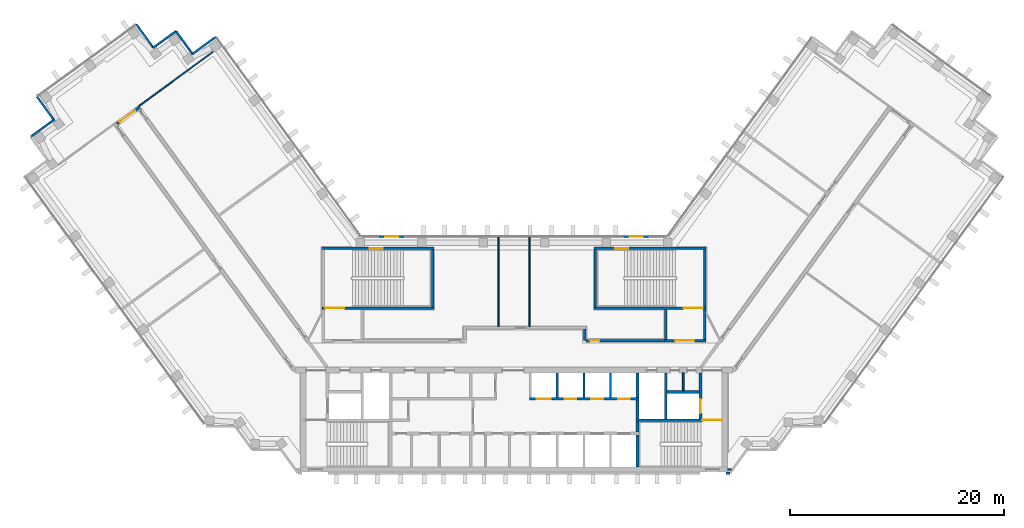
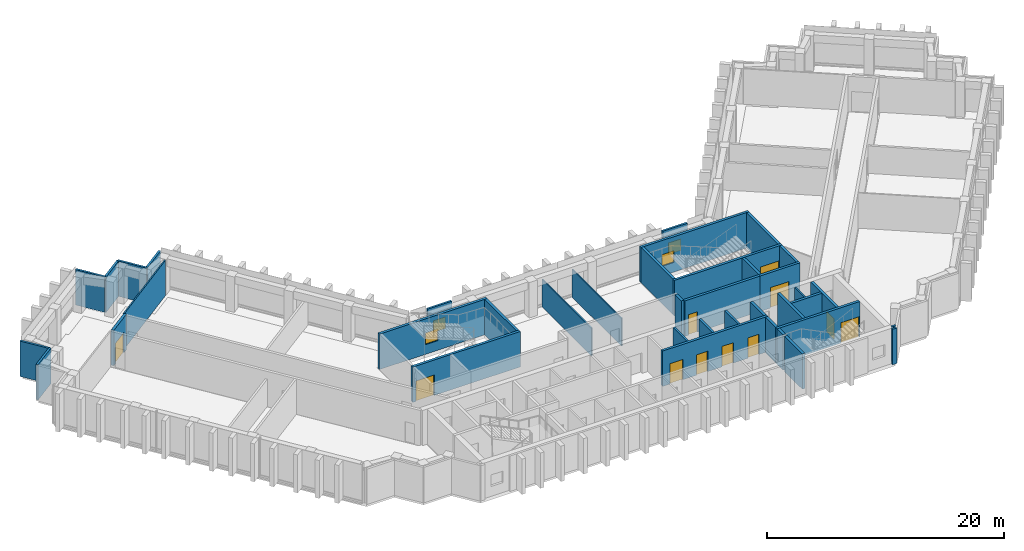
# One storey, part 7 of 11: 39 walls, 11 doors, 4 windows, 15 openings.
"""IFC4 building model written with IfcOpenShell, lengths in metres."""

from ifc_helpers import new_model, si_unit, direction, frame, frame_2d, origin, place, context, subcontext, project, spatial, rectangle, extrude, material, layer, layer_set, type_object, element, fill, save


model = new_model("IFC4")

# Units and contexts
model_context = context("Model", 3, precision=1e-05, world=origin(), true_north=direction((0.0, 1.0)))
body_context = subcontext(model_context, "Body", "Model", "MODEL_VIEW")
ifc_project = project(units=[si_unit("LENGTHUNIT", "METRE"), si_unit("AREAUNIT", "SQUARE_METRE"), si_unit("VOLUMEUNIT", "CUBIC_METRE"), si_unit("PLANEANGLEUNIT", "RADIAN"), si_unit("MASSUNIT", "GRAM", prefix="KILO")], contexts=[model_context])

# Site, building, storey
site_placement = place(None, origin())
site = spatial("IfcSite", under=ifc_project, at=site_placement, CompositionType="ELEMENT")
building_placement = place(site_placement, origin())
building = spatial("IfcBuilding", under=site, at=building_placement, Name="Quipu Civic Tower", CompositionType="ELEMENT")
storey_placement = place(building_placement, frame((0.0, 0.0, 144.0)))
storey = spatial("IfcBuildingStorey", under=building, at=storey_placement, Name="L33", CompositionType="ELEMENT", Elevation=144.0)

# Walls
ifc_material_1 = material(Name="Concrete C70/85", Category="concrete")
ifc_layer_1 = layer(ifc_material_1, 0.25)
ifc_layer_set_1 = layer_set([ifc_layer_1], Name="Concrete C70/85")
wall_type_1 = type_object("IfcWallType", Name="Core wall 250", PredefinedType="SHEAR", material=ifc_layer_set_1)
wall_1_placement = place(storey_placement, frame((11.574951171875, -10.5, 0.0), z_axis=(0.0, 0.0, 1.0), x_axis=(0.0, 1.0, 0.0)))
element("IfcWall", 1, at=wall_1_placement, inside=storey, type_object=wall_type_1, Name="Core wall", PredefinedType="SHEAR", context=body_context, shape_type="SweptSolid", body=[
    extrude(rectangle(XDim=3.0, YDim=0.25, at=frame_2d((1.5, 0.0))), origin(), (0.0, 0.0, 1.0), 3.64990234375),
])
wall_2_placement = place(storey_placement, frame((11.574951171875, -7.25, 0.0), z_axis=(0.0, 0.0, 1.0), x_axis=(0.0, 1.0, 0.0)))
element("IfcWall", 2, at=wall_2_placement, inside=storey, type_object=wall_type_1, Name="Core wall", PredefinedType="SHEAR", context=body_context, shape_type="SweptSolid", body=[
    extrude(rectangle(XDim=1.0, YDim=0.25, at=frame_2d((0.5, 0.0))), origin(), (0.0, 0.0, 1.0), 3.64990234375),
])

# Wall, opening, door
wall_3_placement = place(storey_placement, frame((19.5, -6.125, 0.0), z_axis=(0.0, 0.0, 1.0), x_axis=(-1.0, 0.0, 0.0)))
wall_3 = element("IfcWall", 3, at=wall_3_placement, inside=storey, type_object=wall_type_1, Name="Core wall", PredefinedType="SHEAR", context=body_context, shape_type="SweptSolid", body=[
    extrude(rectangle(XDim=8.050048828125, YDim=0.25, at=frame_2d((4.02490234375, 0.0))), origin(), (0.0, 0.0, 1.0), 3.64990234375),
])
opening_1_placement = place(wall_3_placement, frame((0.050048828125, 0.0, 0.0)))
opening_1 = element("IfcOpeningElement", 4, at=opening_1_placement, cuts=wall_3, Name="Opening CD-08", PredefinedType="OPENING", context=body_context, shape_type="SweptSolid", body=[
    extrude(rectangle(XDim=1.800048828125, YDim=2.10009765625, at=frame_2d((0.89990234375, 1.050048828125))), frame((0.0, 0.135009765625, 0.0), z_axis=(0.0, -1.0, 0.0), x_axis=(1.0, 0.0, 0.0)), (0.0, 0.0, 1.0), 0.27001953125),
])
ifc_material_2 = material(Name="Fire rated steel door", Category="steel")
door_type_1 = type_object("IfcDoorType", Name="Fire door FD90 double 1800 x 2100", OperationType="NOTDEFINED", PredefinedType="DOOR", material=ifc_material_2)
door_1_placement = place(opening_1_placement, origin())
door_1 = element("IfcDoor", 5, at=door_1_placement, inside=storey, type_object=door_type_1, Name="Door", OperationType="DOUBLE_DOOR_SINGLE_SWING", OverallHeight=2.10009765625, OverallWidth=1.800048828125, PredefinedType="DOOR", context=body_context, shape_type="SweptSolid", body=[
    extrude(rectangle(XDim=1.800048828125, YDim=2.10009765625, at=frame_2d((0.89990234375, 1.050048828125))), frame((0.0, 0.02490234375, 0.0), z_axis=(0.0, -1.0, 0.0), x_axis=(1.0, 0.0, 0.0)), (0.0, 0.0, 1.0), 0.050048828125),
])
fill(opening_1, door_1)

# Walls
wall_4_placement = place(storey_placement, frame((11.574951171875, -6.0, 0.0), z_axis=(0.0, 0.0, 1.0), x_axis=(0.0, 1.0, 0.0)))
element("IfcWall", 6, at=wall_4_placement, inside=storey, type_object=wall_type_1, Name="Core wall", PredefinedType="SHEAR", context=body_context, shape_type="SweptSolid", body=[
    extrude(rectangle(XDim=1.75, YDim=0.25, at=frame_2d((0.875, 0.0))), origin(), (0.0, 0.0, 1.0), 3.64990234375),
])
wall_5_placement = place(storey_placement, frame((14.22509765625, -6.0, 0.0), z_axis=(0.0, 0.0, 1.0), x_axis=(0.0, 1.0, 0.0)))
element("IfcWall", 7, at=wall_5_placement, inside=storey, type_object=wall_type_1, Name="Core wall", PredefinedType="SHEAR", context=body_context, shape_type="SweptSolid", body=[
    extrude(rectangle(XDim=4.300048828125, YDim=0.25, at=frame_2d((2.14990234375, 0.0))), origin(), (0.0, 0.0, 1.0), 3.64990234375),
])

# Wall, opening, door
wall_6_placement = place(storey_placement, frame((17.47509765625, -6.0, 0.0), z_axis=(0.0, 0.0, 1.0), x_axis=(0.0, 1.0, 0.0)))
wall_6 = element("IfcWall", 8, at=wall_6_placement, inside=storey, type_object=wall_type_1, Name="Core wall", PredefinedType="SHEAR", context=body_context, shape_type="SweptSolid", body=[
    extrude(rectangle(XDim=4.300048828125, YDim=0.25, at=frame_2d((2.14990234375, 0.0))), origin(), (0.0, 0.0, 1.0), 3.64990234375),
])
opening_2_placement = place(wall_6_placement, frame((0.550048828125, 0.0, 0.0)))
opening_2 = element("IfcOpeningElement", 9, at=opening_2_placement, cuts=wall_6, Name="Opening LD-FF2", PredefinedType="OPENING", context=body_context, shape_type="SweptSolid", body=[
    extrude(rectangle(XDim=1.300048828125, YDim=2.10009765625, at=frame_2d((0.64990234375, 1.050048828125))), frame((0.0, 0.135009765625, 0.0), z_axis=(0.0, -1.0, 0.0), x_axis=(1.0, 0.0, 0.0)), (0.0, 0.0, 1.0), 0.27001953125),
])
ifc_material_3 = material(Name="Stainless steel", Category="steel")
door_type_2 = type_object("IfcDoorType", Name="Lift landing door 1300 x 2100", OperationType="DOUBLE_DOOR_SLIDING", PredefinedType="DOOR", material=ifc_material_3)
door_2_placement = place(opening_2_placement, origin())
door_2 = element("IfcDoor", 10, at=door_2_placement, inside=storey, type_object=door_type_2, Name="Landing door FF2", OperationType="DOUBLE_DOOR_SLIDING", OverallHeight=2.10009765625, OverallWidth=1.300048828125, PredefinedType="DOOR", context=body_context, shape_type="SweptSolid", body=[
    extrude(rectangle(XDim=1.300048828125, YDim=2.10009765625, at=frame_2d((0.64990234375, 1.050048828125))), frame((0.0, 0.02490234375, 0.0), z_axis=(0.0, -1.0, 0.0), x_axis=(1.0, 0.0, 0.0)), (0.0, 0.0, 1.0), 0.050048828125),
])
fill(opening_2, door_2)

# Wall, openings, doors
wall_7_placement = place(storey_placement, frame((1.449951171875, -4.125, 0.0), z_axis=(0.0, 0.0, 1.0), x_axis=(1.0, 0.0, 0.0)))
wall_7 = element("IfcWall", 11, at=wall_7_placement, inside=storey, type_object=wall_type_1, Name="Core wall", PredefinedType="SHEAR", context=body_context, shape_type="SweptSolid", body=[
    extrude(rectangle(XDim=10.25, YDim=0.25, at=frame_2d((5.125, 0.0))), origin(), (0.0, 0.0, 1.0), 3.64990234375),
])
opening_3_placement = place(wall_7_placement, frame((0.699951171875, 0.0, 0.0)))
opening_3 = element("IfcOpeningElement", 12, at=opening_3_placement, cuts=wall_7, Name="Opening LD-FF3", PredefinedType="OPENING", context=body_context, shape_type="SweptSolid", body=[
    extrude(rectangle(XDim=1.300048828125, YDim=2.10009765625, at=frame_2d((0.64990234375, 1.050048828125))), frame((0.0, 0.135009765625, 0.0), z_axis=(0.0, -1.0, 0.0), x_axis=(1.0, 0.0, 0.0)), (0.0, 0.0, 1.0), 0.27001953125),
])
opening_4_placement = place(wall_7_placement, frame((3.300048828125, 0.0, 0.0)))
opening_4 = element("IfcOpeningElement", 13, at=opening_4_placement, cuts=wall_7, Name="Opening LD-ML5", PredefinedType="OPENING", context=body_context, shape_type="SweptSolid", body=[
    extrude(rectangle(XDim=1.10009765625, YDim=2.10009765625, at=frame_2d((0.550048828125, 1.050048828125))), frame((0.0, 0.135009765625, 0.0), z_axis=(0.0, -1.0, 0.0), x_axis=(1.0, 0.0, 0.0)), (0.0, 0.0, 1.0), 0.27001953125),
])
opening_5_placement = place(wall_7_placement, frame((5.800048828125, 0.0, 0.0)))
opening_5 = element("IfcOpeningElement", 14, at=opening_5_placement, cuts=wall_7, Name="Opening LD-ML6", PredefinedType="OPENING", context=body_context, shape_type="SweptSolid", body=[
    extrude(rectangle(XDim=1.10009765625, YDim=2.10009765625, at=frame_2d((0.550048828125, 1.050048828125))), frame((0.0, 0.135009765625, 0.0), z_axis=(0.0, -1.0, 0.0), x_axis=(1.0, 0.0, 0.0)), (0.0, 0.0, 1.0), 0.27001953125),
])
opening_6_placement = place(wall_7_placement, frame((8.300048828125, 0.0, 0.0)))
opening_6 = element("IfcOpeningElement", 15, at=opening_6_placement, cuts=wall_7, Name="Opening LD-ML7", PredefinedType="OPENING", context=body_context, shape_type="SweptSolid", body=[
    extrude(rectangle(XDim=1.10009765625, YDim=2.10009765625, at=frame_2d((0.550048828125, 1.050048828125))), frame((0.0, 0.135009765625, 0.0), z_axis=(0.0, -1.0, 0.0), x_axis=(1.0, 0.0, 0.0)), (0.0, 0.0, 1.0), 0.27001953125),
])
ifc_material_4 = material(Name="Stainless steel", Category="steel")
door_type_3 = type_object("IfcDoorType", Name="Lift landing door 1100 x 2100", OperationType="DOUBLE_DOOR_SLIDING", PredefinedType="DOOR", material=ifc_material_4)
door_3_placement = place(opening_4_placement, origin())
door_3 = element("IfcDoor", 16, at=door_3_placement, inside=storey, type_object=door_type_3, Name="Landing door ML5", OperationType="DOUBLE_DOOR_SLIDING", OverallHeight=2.10009765625, OverallWidth=1.10009765625, PredefinedType="DOOR", context=body_context, shape_type="SweptSolid", body=[
    extrude(rectangle(XDim=1.10009765625, YDim=2.10009765625, at=frame_2d((0.550048828125, 1.050048828125))), frame((0.0, 0.02490234375, 0.0), z_axis=(0.0, -1.0, 0.0), x_axis=(1.0, 0.0, 0.0)), (0.0, 0.0, 1.0), 0.050048828125),
])
fill(opening_4, door_3)
door_4_placement = place(opening_5_placement, origin())
door_4 = element("IfcDoor", 17, at=door_4_placement, inside=storey, type_object=door_type_3, Name="Landing door ML6", OperationType="DOUBLE_DOOR_SLIDING", OverallHeight=2.10009765625, OverallWidth=1.10009765625, PredefinedType="DOOR", context=body_context, shape_type="SweptSolid", body=[
    extrude(rectangle(XDim=1.10009765625, YDim=2.10009765625, at=frame_2d((0.550048828125, 1.050048828125))), frame((0.0, 0.02490234375, 0.0), z_axis=(0.0, -1.0, 0.0), x_axis=(1.0, 0.0, 0.0)), (0.0, 0.0, 1.0), 0.050048828125),
])
fill(opening_5, door_4)
door_5_placement = place(opening_6_placement, origin())
door_5 = element("IfcDoor", 18, at=door_5_placement, inside=storey, type_object=door_type_3, Name="Landing door ML7", OperationType="DOUBLE_DOOR_SLIDING", OverallHeight=2.10009765625, OverallWidth=1.10009765625, PredefinedType="DOOR", context=body_context, shape_type="SweptSolid", body=[
    extrude(rectangle(XDim=1.10009765625, YDim=2.10009765625, at=frame_2d((0.550048828125, 1.050048828125))), frame((0.0, 0.02490234375, 0.0), z_axis=(0.0, -1.0, 0.0), x_axis=(1.0, 0.0, 0.0)), (0.0, 0.0, 1.0), 0.050048828125),
])
fill(opening_6, door_5)
door_6_placement = place(opening_3_placement, origin())
door_6 = element("IfcDoor", 19, at=door_6_placement, inside=storey, type_object=door_type_2, Name="Landing door FF3", OperationType="DOUBLE_DOOR_SLIDING", OverallHeight=2.10009765625, OverallWidth=1.300048828125, PredefinedType="DOOR", context=body_context, shape_type="SweptSolid", body=[
    extrude(rectangle(XDim=1.300048828125, YDim=2.10009765625, at=frame_2d((0.64990234375, 1.050048828125))), frame((0.0, 0.02490234375, 0.0), z_axis=(0.0, -1.0, 0.0), x_axis=(1.0, 0.0, 0.0)), (0.0, 0.0, 1.0), 0.050048828125),
])
fill(opening_3, door_6)

# Walls
wall_8_placement = place(storey_placement, frame((11.574951171875, -4.0, 0.0), z_axis=(0.0, 0.0, 1.0), x_axis=(0.0, 1.0, 0.0)))
element("IfcWall", 20, at=wall_8_placement, inside=storey, type_object=wall_type_1, Name="Core wall", PredefinedType="SHEAR", context=body_context, shape_type="SweptSolid", body=[
    extrude(rectangle(XDim=2.300048828125, YDim=0.25, at=frame_2d((1.14990234375, 0.0))), origin(), (0.0, 0.0, 1.0), 3.64990234375),
])
wall_9_placement = place(storey_placement, frame((14.35009765625, -3.47509765625, 0.0), z_axis=(0.0, 0.0, 1.0), x_axis=(1.0, 0.0, 0.0)))
element("IfcWall", 21, at=wall_9_placement, inside=storey, type_object=wall_type_1, Name="Core wall", PredefinedType="SHEAR", context=body_context, shape_type="SweptSolid", body=[
    extrude(rectangle(XDim=3.0, YDim=0.25, at=frame_2d((1.5, 0.0))), origin(), (0.0, 0.0, 1.0), 3.64990234375),
])

# Wall, opening, door
wall_10_placement = place(storey_placement, frame((-18.0, 4.375, 0.0), z_axis=(0.0, 0.0, 1.0), x_axis=(1.0, 0.0, 0.0)))
wall_10 = element("IfcWall", 22, at=wall_10_placement, inside=storey, type_object=wall_type_1, Name="Core wall", PredefinedType="SHEAR", context=body_context, shape_type="SweptSolid", body=[
    extrude(rectangle(XDim=10.5, YDim=0.25, at=frame_2d((5.25, 0.0))), origin(), (0.0, 0.0, 1.0), 3.64990234375),
])
opening_7_placement = place(wall_10_placement, frame((0.300048828125, 0.0, 0.0)))
opening_7 = element("IfcOpeningElement", 23, at=opening_7_placement, cuts=wall_10, Name="Opening CD-23", PredefinedType="OPENING", context=body_context, shape_type="SweptSolid", body=[
    extrude(rectangle(XDim=1.800048828125, YDim=2.10009765625, at=frame_2d((0.89990234375, 1.050048828125))), frame((0.0, 0.135009765625, 0.0), z_axis=(0.0, -1.0, 0.0), x_axis=(1.0, 0.0, 0.0)), (0.0, 0.0, 1.0), 0.27001953125),
])
door_7_placement = place(opening_7_placement, origin())
door_7 = element("IfcDoor", 24, at=door_7_placement, inside=storey, type_object=door_type_1, Name="Door", OperationType="DOUBLE_DOOR_SINGLE_SWING", OverallHeight=2.10009765625, OverallWidth=1.800048828125, PredefinedType="DOOR", context=body_context, shape_type="SweptSolid", body=[
    extrude(rectangle(XDim=1.800048828125, YDim=2.10009765625, at=frame_2d((0.89990234375, 1.050048828125))), frame((0.0, 0.02490234375, 0.0), z_axis=(0.0, -1.0, 0.0), x_axis=(1.0, 0.0, 0.0)), (0.0, 0.0, 1.0), 0.050048828125),
])
fill(opening_7, door_7)

# Wall
wall_11_placement = place(storey_placement, frame((-7.625, 4.5, 0.0), z_axis=(0.0, 0.0, 1.0), x_axis=(0.0, 1.0, 0.0)))
element("IfcWall", 25, at=wall_11_placement, inside=storey, type_object=wall_type_1, Name="Core wall", PredefinedType="SHEAR", context=body_context, shape_type="SweptSolid", body=[
    extrude(rectangle(XDim=5.35009765625, YDim=0.25, at=frame_2d((2.675048828125, 0.0))), origin(), (0.0, 0.0, 1.0), 3.64990234375),
])

# Wall, opening, window
wall_12_placement = place(storey_placement, frame((-18.0, 9.97509765625, 0.0), z_axis=(0.0, 0.0, 1.0), x_axis=(1.0, 0.0, 0.0)))
wall_12 = element("IfcWall", 26, at=wall_12_placement, inside=storey, type_object=wall_type_1, Name="Core wall", PredefinedType="SHEAR", context=body_context, shape_type="SweptSolid", body=[
    extrude(rectangle(XDim=10.5, YDim=0.25, at=frame_2d((5.25, 0.0))), origin(), (0.0, 0.0, 1.0), 3.64990234375),
])
opening_8_placement = place(wall_12_placement, frame((4.5, 0.0, 1.0)))
opening_8 = element("IfcOpeningElement", 27, at=opening_8_placement, cuts=wall_12, Name="Opening SV-3", PredefinedType="OPENING", context=body_context, shape_type="SweptSolid", body=[
    extrude(rectangle(XDim=1.199951171875, YDim=1.199951171875, at=frame_2d((0.60009765625, 0.60009765625))), frame((0.0, 0.135009765625, 0.0), z_axis=(0.0, -1.0, 0.0), x_axis=(1.0, 0.0, 0.0)), (0.0, 0.0, 1.0), 0.27001953125),
])
ifc_material_5 = material(Name="Aluminium louvre", Category="aluminium")
window_type_1 = type_object("IfcWindowType", Name="Stair ventilation louvre 1200 x 1200", PartitioningType="SINGLE_PANEL", PredefinedType="WINDOW", material=ifc_material_5)
window_1_placement = place(opening_8_placement, origin())
window_1 = element("IfcWindow", 28, at=window_1_placement, inside=storey, type_object=window_type_1, Name="Stair ventilation opening", OverallHeight=1.199951171875, OverallWidth=1.199951171875, PartitioningType="SINGLE_PANEL", PredefinedType="WINDOW", context=body_context, shape_type="SweptSolid", body=[
    extrude(rectangle(XDim=1.199951171875, YDim=1.199951171875, at=frame_2d((0.60009765625, 0.60009765625))), frame((0.0, 0.030029296875, 0.0), z_axis=(0.0, -1.0, 0.0), x_axis=(1.0, 0.0, 0.0)), (0.0, 0.0, 1.0), 0.06005859375),
])
fill(opening_8, window_1)

# Wall, opening, door
wall_13_placement = place(storey_placement, frame((14.10009765625, 1.324951171875, 0.0), z_axis=(0.0, 0.0, 1.0), x_axis=(1.0, 0.0, 0.0)))
wall_13 = element("IfcWall", 29, at=wall_13_placement, inside=storey, type_object=wall_type_1, Name="Core wall", PredefinedType="SHEAR", context=body_context, shape_type="SweptSolid", body=[
    extrude(rectangle(XDim=3.89990234375, YDim=0.25, at=frame_2d((1.949951171875, 0.0))), origin(), (0.0, 0.0, 1.0), 3.64990234375),
])
opening_9_placement = place(wall_13_placement, frame((1.0, 0.0, 0.0)))
opening_9 = element("IfcOpeningElement", 30, at=opening_9_placement, cuts=wall_13, Name="Opening CD-24", PredefinedType="OPENING", context=body_context, shape_type="SweptSolid", body=[
    extrude(rectangle(XDim=1.800048828125, YDim=2.10009765625, at=frame_2d((0.89990234375, 1.050048828125))), frame((0.0, 0.135009765625, 0.0), z_axis=(0.0, -1.0, 0.0), x_axis=(1.0, 0.0, 0.0)), (0.0, 0.0, 1.0), 0.27001953125),
])
door_8_placement = place(opening_9_placement, origin())
door_8 = element("IfcDoor", 31, at=door_8_placement, inside=storey, type_object=door_type_1, Name="Lobby door", OperationType="DOUBLE_DOOR_SINGLE_SWING", OverallHeight=2.10009765625, OverallWidth=1.800048828125, PredefinedType="DOOR", context=body_context, shape_type="SweptSolid", body=[
    extrude(rectangle(XDim=1.800048828125, YDim=2.10009765625, at=frame_2d((0.89990234375, 1.050048828125))), frame((0.0, 0.02490234375, 0.0), z_axis=(0.0, -1.0, 0.0), x_axis=(1.0, 0.0, 0.0)), (0.0, 0.0, 1.0), 0.050048828125),
])
fill(opening_9, door_8)

# Walls
for number, where, z_axis, x_axis, name in (
    (32, (14.22509765625, 1.449951171875, 0.0), (0.0, 0.0, 1.0), (0.0, 1.0, 0.0), "Core wall"),
    (33, (17.875, 1.449951171875, 0.0), (0.0, 0.0, 1.0), (0.0, 1.0, 0.0), "Core wall"),
):
    element("IfcWall", number, at=place(storey_placement, frame(where, z_axis=z_axis, x_axis=x_axis)), inside=storey, type_object=wall_type_1, Name=name, PredefinedType="SHEAR", context=body_context, shape_type="SweptSolid", body=[
        extrude(rectangle(XDim=2.800048828125, YDim=0.25, at=frame_2d((1.39990234375, 0.0))), origin(), (0.0, 0.0, 1.0), 3.64990234375),
    ])

# Wall, opening, door
wall_14_placement = place(storey_placement, frame((7.5, 4.375, 0.0), z_axis=(0.0, 0.0, 1.0), x_axis=(1.0, 0.0, 0.0)))
wall_14 = element("IfcWall", 34, at=wall_14_placement, inside=storey, type_object=wall_type_1, Name="Core wall", PredefinedType="SHEAR", context=body_context, shape_type="SweptSolid", body=[
    extrude(rectangle(XDim=10.5, YDim=0.25, at=frame_2d((5.25, 0.0))), origin(), (0.0, 0.0, 1.0), 3.64990234375),
])
opening_10_placement = place(wall_14_placement, frame((8.39990234375, 0.0, 0.0)))
opening_10 = element("IfcOpeningElement", 35, at=opening_10_placement, cuts=wall_14, Name="Opening CD-25", PredefinedType="OPENING", context=body_context, shape_type="SweptSolid", body=[
    extrude(rectangle(XDim=1.800048828125, YDim=2.10009765625, at=frame_2d((0.89990234375, 1.050048828125))), frame((0.0, 0.135009765625, 0.0), z_axis=(0.0, -1.0, 0.0), x_axis=(1.0, 0.0, 0.0)), (0.0, 0.0, 1.0), 0.27001953125),
])
door_9_placement = place(opening_10_placement, origin())
door_9 = element("IfcDoor", 36, at=door_9_placement, inside=storey, type_object=door_type_1, Name="Door", OperationType="DOUBLE_DOOR_SINGLE_SWING", OverallHeight=2.10009765625, OverallWidth=1.800048828125, PredefinedType="DOOR", context=body_context, shape_type="SweptSolid", body=[
    extrude(rectangle(XDim=1.800048828125, YDim=2.10009765625, at=frame_2d((0.89990234375, 1.050048828125))), frame((0.0, 0.02490234375, 0.0), z_axis=(0.0, -1.0, 0.0), x_axis=(1.0, 0.0, 0.0)), (0.0, 0.0, 1.0), 0.050048828125),
])
fill(opening_10, door_9)

# Walls
for number, where, z_axis, x_axis, name in (
    (37, (7.625, 4.5, 0.0), (0.0, 0.0, 1.0), (0.0, 1.0, 0.0), "Core wall"),
    (38, (17.875, 4.5, 0.0), (0.0, 0.0, 1.0), (0.0, 1.0, 0.0), "Core wall"),
):
    element("IfcWall", number, at=place(storey_placement, frame(where, z_axis=z_axis, x_axis=x_axis)), inside=storey, type_object=wall_type_1, Name=name, PredefinedType="SHEAR", context=body_context, shape_type="SweptSolid", body=[
        extrude(rectangle(XDim=5.35009765625, YDim=0.25, at=frame_2d((2.675048828125, 0.0))), origin(), (0.0, 0.0, 1.0), 3.64990234375),
    ])

# Wall, opening, window
wall_15_placement = place(storey_placement, frame((7.5, 9.97509765625, 0.0), z_axis=(0.0, 0.0, 1.0), x_axis=(1.0, 0.0, 0.0)))
wall_15 = element("IfcWall", 39, at=wall_15_placement, inside=storey, type_object=wall_type_1, Name="Core wall", PredefinedType="SHEAR", context=body_context, shape_type="SweptSolid", body=[
    extrude(rectangle(XDim=10.5, YDim=0.25, at=frame_2d((5.25, 0.0))), origin(), (0.0, 0.0, 1.0), 3.64990234375),
])
opening_11_placement = place(wall_15_placement, frame((2.0, 0.0, 1.0)))
opening_11 = element("IfcOpeningElement", 40, at=opening_11_placement, cuts=wall_15, Name="Opening SV-4", PredefinedType="OPENING", context=body_context, shape_type="SweptSolid", body=[
    extrude(rectangle(XDim=1.199951171875, YDim=1.199951171875, at=frame_2d((0.60009765625, 0.60009765625))), frame((0.0, 0.135009765625, 0.0), z_axis=(0.0, -1.0, 0.0), x_axis=(1.0, 0.0, 0.0)), (0.0, 0.0, 1.0), 0.27001953125),
])
window_2_placement = place(opening_11_placement, origin())
window_2 = element("IfcWindow", 41, at=window_2_placement, inside=storey, type_object=window_type_1, Name="Stair ventilation opening", OverallHeight=1.199951171875, OverallWidth=1.199951171875, PartitioningType="SINGLE_PANEL", PredefinedType="WINDOW", context=body_context, shape_type="SweptSolid", body=[
    extrude(rectangle(XDim=1.199951171875, YDim=1.199951171875, at=frame_2d((0.60009765625, 0.60009765625))), frame((0.0, 0.030029296875, 0.0), z_axis=(0.0, -1.0, 0.0), x_axis=(1.0, 0.0, 0.0)), (0.0, 0.0, 1.0), 0.06005859375),
])
fill(opening_11, window_2)

# Wall, opening, door
ifc_material_6 = material(Name="Concrete C50/60", Category="concrete")
ifc_layer_2 = layer(ifc_material_6, 0.25)
ifc_layer_set_2 = layer_set([ifc_layer_2], Name="Concrete C50/60")
wall_type_2 = type_object("IfcWallType", Name="Corridor wall 250 concrete", PredefinedType="SOLIDWALL", material=ifc_layer_set_2)
wall_16_placement = place(storey_placement, frame((-37.20849609375, 21.643798828125, 0.0), z_axis=(0.0, 0.0, 1.0), x_axis=(0.809038743598, 0.587755315891, 0.0)))
wall_16 = element("IfcWall", 42, at=wall_16_placement, inside=storey, type_object=wall_type_2, Name="Corridor wall C05", PredefinedType="SOLIDWALL", context=body_context, shape_type="SweptSolid", body=[
    extrude(rectangle(XDim=2.650146484375, YDim=0.25, at=frame_2d((1.3251953125, 0.0))), origin(), (0.0, 0.0, 1.0), 3.64990234375),
])
opening_12_placement = place(wall_16_placement, frame((0.2998046875, 0.0, 0.0)))
opening_12 = element("IfcOpeningElement", 43, at=opening_12_placement, cuts=wall_16, Name="Opening D016", PredefinedType="OPENING", context=body_context, shape_type="SweptSolid", body=[
    extrude(rectangle(XDim=1.800048828125, YDim=2.10009765625, at=frame_2d((0.89990234375, 1.050048828125))), frame((0.0, 0.135009765625, 0.0), z_axis=(0.0, -1.0, 0.0), x_axis=(1.0, 0.0, 0.0)), (0.0, 0.0, 1.0), 0.27001953125),
])
ifc_material_7 = material(Name="Fire rated timber door set with metal frame", Category="wood")
door_type_4 = type_object("IfcDoorType", Name="Double door 1800 x 2100 FD60", OperationType="DOUBLE_DOOR_SINGLE_SWING", PredefinedType="DOOR", material=ifc_material_7)
door_10_placement = place(opening_12_placement, origin())
door_10 = element("IfcDoor", 44, at=door_10_placement, inside=storey, type_object=door_type_4, Name="Door D016", OperationType="DOUBLE_DOOR_SINGLE_SWING", OverallHeight=2.10009765625, OverallWidth=1.800048828125, PredefinedType="DOOR", context=body_context, shape_type="SweptSolid", body=[
    extrude(rectangle(XDim=1.800048828125, YDim=2.10009765625, at=frame_2d((0.89990234375, 1.050048828125))), frame((0.0, 0.02490234375, 0.0), z_axis=(0.0, -1.0, 0.0), x_axis=(1.0, 0.0, 0.0)), (0.0, 0.0, 1.0), 0.050048828125),
])
fill(opening_12, door_10)

# Wall
wall_17_placement = place(storey_placement, frame((6.625, 2.39990234375, 0.0), z_axis=(0.0, 0.0, 1.0), x_axis=(0.0, -1.0, 0.0)))
element("IfcWall", 45, at=wall_17_placement, inside=storey, type_object=wall_type_2, Name="Corridor wall C10", PredefinedType="SOLIDWALL", context=body_context, shape_type="SweptSolid", body=[
    extrude(rectangle(XDim=1.041259765625, YDim=0.25, at=frame_2d((0.5205078125, 0.0))), origin(), (0.0, 0.0, 1.0), 3.64990234375),
])

# Wall, opening, door
wall_18_placement = place(storey_placement, frame((6.753662109375, 1.324951171875, 0.0), z_axis=(0.0, 0.0, 1.0), x_axis=(1.0, 0.0, 0.0)))
wall_18 = element("IfcWall", 46, at=wall_18_placement, inside=storey, type_object=wall_type_2, Name="Corridor wall C11", PredefinedType="SOLIDWALL", context=body_context, shape_type="SweptSolid", body=[
    extrude(rectangle(XDim=7.33642578125, YDim=0.25, at=frame_2d((3.668212890625, 0.0))), origin(), (0.0, 0.0, 1.0), 3.64990234375),
])
opening_13_placement = place(wall_18_placement, frame((0.34619140625, 0.0, 0.0)))
opening_13 = element("IfcOpeningElement", 47, at=opening_13_placement, cuts=wall_18, Name="Opening D010", PredefinedType="OPENING", context=body_context, shape_type="SweptSolid", body=[
    extrude(rectangle(XDim=0.89990234375, YDim=2.10009765625, at=frame_2d((0.449951171875, 1.050048828125))), frame((0.0, 0.135009765625, 0.0), z_axis=(0.0, -1.0, 0.0), x_axis=(1.0, 0.0, 0.0)), (0.0, 0.0, 1.0), 0.27001953125),
])
ifc_material_8 = material(Name="Fire rated timber door set with metal frame", Category="wood")
door_type_5 = type_object("IfcDoorType", Name="Single door 900 x 2100 FD60", OperationType="NOTDEFINED", PredefinedType="DOOR", material=ifc_material_8)
door_11_placement = place(opening_13_placement, origin())
door_11 = element("IfcDoor", 48, at=door_11_placement, inside=storey, type_object=door_type_5, Name="Door D010", OperationType="SINGLE_SWING_LEFT", OverallHeight=2.10009765625, OverallWidth=0.89990234375, PredefinedType="DOOR", context=body_context, shape_type="SweptSolid", body=[
    extrude(rectangle(XDim=0.89990234375, YDim=2.10009765625, at=frame_2d((0.449951171875, 1.050048828125))), frame((0.0, 0.02490234375, 0.0), z_axis=(0.0, -1.0, 0.0), x_axis=(1.0, 0.0, 0.0)), (0.0, 0.0, 1.0), 0.050048828125),
])
fill(opening_13, door_11)

# Walls
ifc_material_9 = material(Name="Gypsum plasterboard on light gauge framing")
ifc_layer_3 = layer(ifc_material_9, 0.1201171875)
ifc_layer_set_3 = layer_set([ifc_layer_3], Name="Gypsum plasterboard on light gauge framing")
wall_type_3 = type_object("IfcWallType", Name="Partition 120 plasterboard", PredefinedType="PARTITIONING", material=ifc_layer_set_3)
wall_19_placement = place(storey_placement, frame((-35.15380859375, 23.290771484375, 0.0), z_axis=(0.0, 0.0, 1.0), x_axis=(0.806977317905, 0.590582431492, 0.0)))
element("IfcWall", 49, at=wall_19_placement, inside=storey, type_object=wall_type_3, Name="Partition P01", PredefinedType="PARTITIONING", context=body_context, shape_type="SweptSolid", body=[
    extrude(rectangle(XDim=8.61962890625, YDim=0.1201171875, at=frame_2d((4.309814453125, 0.0))), origin(), (0.0, 0.0, 1.0), 3.64990234375),
])
for number, where, z_axis, x_axis, name in (
    (50, (-1.458984375, 2.64990234375, 0.0), (0.0, 0.0, 1.0), (0.0, 1.0, 0.0), "Partition P07"),
    (51, (1.458984375, 11.0, 0.0), (0.0, 0.0, 1.0), (0.0, -1.0, 0.0), "Partition P13"),
):
    element("IfcWall", number, at=place(storey_placement, frame(where, z_axis=z_axis, x_axis=x_axis)), inside=storey, type_object=wall_type_3, Name=name, PredefinedType="PARTITIONING", context=body_context, shape_type="SweptSolid", body=[
        extrude(rectangle(XDim=8.35009765625, YDim=0.1201171875, at=frame_2d((4.175048828125, 0.0))), origin(), (0.0, 0.0, 1.0), 2.85009765625),
    ])
ifc_material_10 = material(Name="Gypsum board partition")
ifc_layer_4 = layer(ifc_material_10, 0.14990234375)
ifc_layer_set_4 = layer_set([ifc_layer_4], Name="Gypsum board partition")
wall_type_4 = type_object("IfcWallType", Name="Partition 150", PredefinedType="PARTITIONING", material=ifc_layer_set_4)
wall_20_placement = place(storey_placement, frame((15.85009765625, -3.35009765625, 0.0), z_axis=(0.0, 0.0, 1.0), x_axis=(0.0, 1.0, 0.0)))
element("IfcWall", 52, at=wall_20_placement, inside=storey, type_object=wall_type_4, Name="Partition", PredefinedType="PARTITIONING", context=body_context, shape_type="SweptSolid", body=[
    extrude(rectangle(XDim=1.650146484375, YDim=0.14990234375, at=frame_2d((0.8251953125, 0.0))), origin(), (0.0, 0.0, 1.0), 3.64990234375),
])
ifc_material_11 = material(Name="Precast concrete C40/50", Category="concrete")
wall_type_5 = type_object("IfcWallType", Name="Precast cladding wall", PredefinedType="SOLIDWALL", material=ifc_material_11)
wall_21_placement = place(storey_placement, frame((-43.060791015625, 22.04296875, 0.0), z_axis=(0.0, 0.0, 1.0), x_axis=(-0.809033161865, -0.587762999008, 0.0)))
element("IfcWall", 53, at=wall_21_placement, inside=storey, type_object=wall_type_5, Name="Precast cladding wall L33 1", PredefinedType="SOLIDWALL", context=body_context, shape_type="SweptSolid", body=[
    extrude(rectangle(XDim=2.699951171875, YDim=0.199951171875, at=frame_2d((1.35009765625, 0.0))), origin(), (0.0, 0.0, 1.0), 3.64990234375),
])
wall_22_placement = place(storey_placement, frame((19.85009765625, -11.087890625, 0.0), z_axis=(0.0, 0.0, 1.0), x_axis=(1.0, 0.0, 0.0)))
element("IfcWall", 54, at=wall_22_placement, inside=storey, type_object=wall_type_5, Name="Precast cladding wall L33 11", PredefinedType="SOLIDWALL", context=body_context, shape_type="SweptSolid", body=[
    extrude(rectangle(XDim=0.40576171875, YDim=0.199951171875, at=frame_2d((0.202880859375, 0.0))), origin(), (0.0, 0.0, 1.0), 3.64990234375),
])

# Wall, opening, window
wall_23_placement = place(storey_placement, frame((12.655029296875, 11.10009765625, 0.0), z_axis=(0.0, 0.0, 1.0), x_axis=(-1.0, 0.0, 0.0)))
wall_23 = element("IfcWall", 55, at=wall_23_placement, inside=storey, type_object=wall_type_5, Name="Vent surround SF-L33-2", PredefinedType="SOLIDWALL", context=body_context, shape_type="SweptSolid", body=[
    extrude(rectangle(XDim=2.3916015625, YDim=0.199951171875, at=frame_2d((1.19580078125, 0.0))), origin(), (0.0, 0.0, 1.0), 3.64990234375),
])
opening_14_placement = place(wall_23_placement, frame((0.595703125, 0.0, 1.0)))
opening_14 = element("IfcOpeningElement", 56, at=opening_14_placement, cuts=wall_23, Name="Opening SF-L33-2", PredefinedType="OPENING", context=body_context, shape_type="SweptSolid", body=[
    extrude(rectangle(XDim=1.199951171875, YDim=1.199951171875, at=frame_2d((0.60009765625, 0.60009765625))), frame((0.0, 0.10986328125, 0.0), z_axis=(0.0, -1.0, 0.0), x_axis=(1.0, 0.0, 0.0)), (0.0, 0.0, 1.0), 0.219970703125),
])
ifc_material_12 = material(Name="Anodised aluminium louvre", Category="aluminium")
window_type_2 = type_object("IfcWindowType", Name="Stair vent louvre window P3", PartitioningType="SINGLE_PANEL", PredefinedType="WINDOW", material=ifc_material_12)
window_3_placement = place(opening_14_placement, origin())
window_3 = element("IfcWindow", 57, at=window_3_placement, inside=storey, type_object=window_type_2, Name="Stair vent louvre SF-L33-2", OverallHeight=1.199951171875, OverallWidth=1.199951171875, PartitioningType="SINGLE_PANEL", PredefinedType="WINDOW", context=body_context, shape_type="SweptSolid", body=[
    extrude(rectangle(XDim=1.199951171875, YDim=1.199951171875, at=frame_2d((0.60009765625, 0.60009765625))), frame((0.0, 0.030029296875, 0.0), z_axis=(0.0, -1.0, 0.0), x_axis=(1.0, 0.0, 0.0)), (0.0, 0.0, 1.0), 0.06005859375),
])
fill(opening_14, window_3)

wall_24_placement = place(storey_placement, frame((-10.263427734375, 11.10009765625, 0.0), z_axis=(0.0, 0.0, 1.0), x_axis=(-1.0, 0.0, 0.0)))
wall_24 = element("IfcWall", 58, at=wall_24_placement, inside=storey, type_object=wall_type_5, Name="Vent surround SF-L33-1", PredefinedType="SOLIDWALL", context=body_context, shape_type="SweptSolid", body=[
    extrude(rectangle(XDim=2.3916015625, YDim=0.199951171875, at=frame_2d((1.19580078125, 0.0))), origin(), (0.0, 0.0, 1.0), 3.64990234375),
])
opening_15_placement = place(wall_24_placement, frame((0.595703125, 0.0, 1.0)))
opening_15 = element("IfcOpeningElement", 59, at=opening_15_placement, cuts=wall_24, Name="Opening SF-L33-1", PredefinedType="OPENING", context=body_context, shape_type="SweptSolid", body=[
    extrude(rectangle(XDim=1.199951171875, YDim=1.199951171875, at=frame_2d((0.60009765625, 0.60009765625))), frame((0.0, 0.10986328125, 0.0), z_axis=(0.0, -1.0, 0.0), x_axis=(1.0, 0.0, 0.0)), (0.0, 0.0, 1.0), 0.219970703125),
])
window_4_placement = place(opening_15_placement, origin())
window_4 = element("IfcWindow", 60, at=window_4_placement, inside=storey, type_object=window_type_2, Name="Stair vent louvre SF-L33-1", OverallHeight=1.199951171875, OverallWidth=1.199951171875, PartitioningType="SINGLE_PANEL", PredefinedType="WINDOW", context=body_context, shape_type="SweptSolid", body=[
    extrude(rectangle(XDim=1.199951171875, YDim=1.199951171875, at=frame_2d((0.60009765625, 0.60009765625))), frame((0.0, 0.030029296875, 0.0), z_axis=(0.0, -1.0, 0.0), x_axis=(1.0, 0.0, 0.0)), (0.0, 0.0, 1.0), 0.06005859375),
])
fill(opening_15, window_4)

# Walls
for number, where, z_axis, x_axis, name in (
    (61, (-27.92138671875, 29.787109375, 0.0), (0.0, 0.0, 1.0), (-0.809033161865, -0.587762999008, 0.0), "Precast cladding wall L33 33"),
    (62, (-30.08349609375, 28.149169921875, 0.0), (0.0, 0.0, 1.0), (-0.587762999008, 0.809033161865, 0.0), "Precast cladding wall L33 34"),
    (63, (-31.653564453125, 30.330810546875, 0.0), (0.0, 0.0, 1.0), (-0.809033161865, -0.587762999008, 0.0), "Precast cladding wall L33 35"),
    (64, (-33.80078125, 28.785888671875, 0.0), (0.0, 0.0, 1.0), (-0.587762999008, 0.809033161865, 0.0), "Precast cladding wall L33 36"),
    (65, (-44.699462890625, 24.20458984375, 0.0), (0.0, 0.0, 1.0), (0.587762999008, -0.809033161865, 0.0), "Precast cladding wall L33 38"),
):
    element("IfcWall", number, at=place(storey_placement, frame(where, z_axis=z_axis, x_axis=x_axis)), inside=storey, type_object=wall_type_5, Name=name, PredefinedType="SOLIDWALL", context=body_context, shape_type="SweptSolid", body=[
        extrude(rectangle(XDim=2.699951171875, YDim=0.199951171875, at=frame_2d((1.35009765625, 0.0))), origin(), (0.0, 0.0, 1.0), 3.64990234375),
    ])
wall_25_placement = place(storey_placement, frame((19.97998046875, -10.75, 0.0), z_axis=(0.0, 0.0, 1.0), x_axis=(1.0, 0.0, 0.0)))
element("IfcWall", 66, at=wall_25_placement, inside=storey, type_object=wall_type_5, Name="Precast cladding return L33 E", PredefinedType="SOLIDWALL", context=body_context, shape_type="SweptSolid", body=[
    extrude(rectangle(XDim=0.41650390625, YDim=0.199951171875, at=frame_2d((0.208251953125, 0.0))), origin(), (0.0, 0.0, 1.0), 3.64990234375),
])
ifc_material_13 = material(Name="Concrete C40/50", Category="concrete")
ifc_layer_5 = layer(ifc_material_13, 0.199951171875)
ifc_layer_set_5 = layer_set([ifc_layer_5], Name="Concrete C40/50")
wall_type_6 = type_object("IfcWallType", Name="Shaft wall 200", PredefinedType="SOLIDWALL", material=ifc_layer_set_5)
for number, where, z_axis, x_axis, name in (
    (67, (4.050048828125, -4.0, 0.0), (0.0, 0.0, 1.0), (0.0, 1.0, 0.0), "Shaft wall"),
    (68, (6.550048828125, -4.0, 0.0), (0.0, 0.0, 1.0), (0.0, 1.0, 0.0), "Shaft wall"),
    (69, (9.050048828125, -4.0, 0.0), (0.0, 0.0, 1.0), (0.0, 1.0, 0.0), "Shaft wall"),
):
    element("IfcWall", number, at=place(storey_placement, frame(where, z_axis=z_axis, x_axis=x_axis)), inside=storey, type_object=wall_type_6, Name=name, PredefinedType="SOLIDWALL", context=body_context, shape_type="SweptSolid", body=[
        extrude(rectangle(XDim=2.300048828125, YDim=0.199951171875, at=frame_2d((1.14990234375, 0.0))), origin(), (0.0, 0.0, 1.0), 3.64990234375),
    ])

save(model, "model.ifc")
